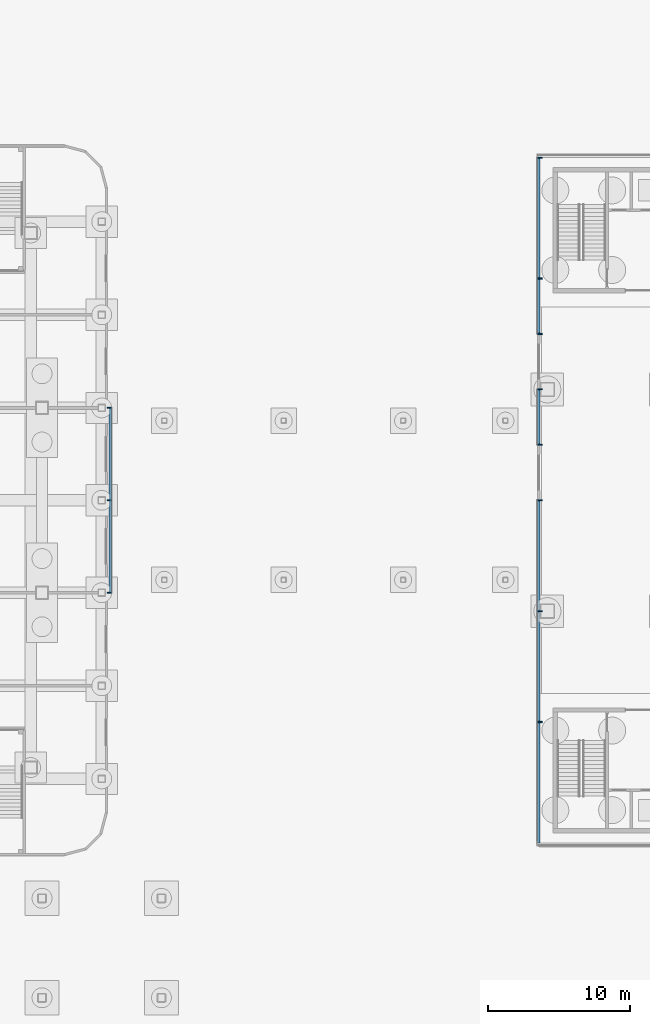
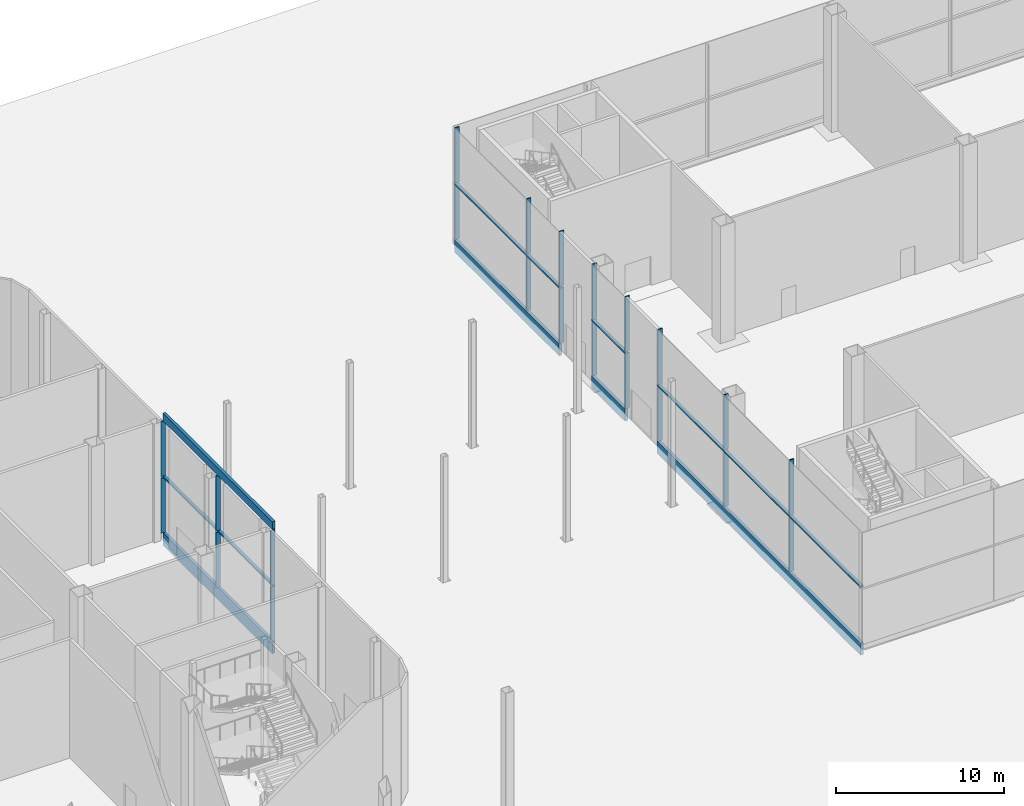
# One storey, part 25 of 113: 31 members, 2 elements without a shape of their own.
"""IFC4 building model written with IfcOpenShell, lengths in metres."""

from ifc_helpers import new_model, si_unit, direction, frame, origin, origin_2d, place, context, subcontext, project, spatial, rectangle, extrude, material, layer, layer_set, material_profile, profile_set, type_object, element, aggregate, save


model = new_model("IFC4")

# Units and contexts
model_context = context("Model", 3, precision=1e-05, world=origin(), true_north=direction((0.0, 1.0)))
body_context = subcontext(model_context, "Body", "Model", "MODEL_VIEW")
ifc_project = project(units=[si_unit("LENGTHUNIT", "METRE"), si_unit("AREAUNIT", "SQUARE_METRE"), si_unit("VOLUMEUNIT", "CUBIC_METRE"), si_unit("PLANEANGLEUNIT", "RADIAN"), si_unit("MASSUNIT", "GRAM", prefix="KILO")], contexts=[model_context])

# Site, building, storey
site_placement = place(None, origin())
site = spatial("IfcSite", under=ifc_project, at=site_placement, CompositionType="ELEMENT")
building_placement = place(site_placement, origin())
building = spatial("IfcBuilding", under=site, at=building_placement, Name="Hakoniwa Tower and Hamabe Station Hall", CompositionType="ELEMENT")
storey_placement = place(building_placement, origin())
storey = spatial("IfcBuildingStorey", under=building, at=storey_placement, Name="L01", CompositionType="ELEMENT", Elevation=0.0)

# Curtain wall, members
ifc_material_1 = material(Name="Dark low-e laminated glass", Category="glass")
ifc_layer_1 = layer(ifc_material_1, 0.199951171875)
ifc_layer_set_1 = layer_set([ifc_layer_1], Name="CW-3 PODIUM LOBBY")
curtain_wall_type_1 = type_object("IfcCurtainWallType", Name="CW-3 PODIUM LOBBY", PredefinedType="NOTDEFINED", material=ifc_layer_set_1)
curtain_wall_1_placement = place(storey_placement, origin())
curtain_wall_1 = element("IfcCurtainWall", 1, at=curtain_wall_1_placement, inside=storey, type_object=curtain_wall_type_1, Name="Podium curtain wall L01 east 5", PredefinedType="NOTDEFINED")
ifc_material_2 = material(Name="Aluminium 6063-T5 black anodised", Category="aluminium")
ifc_material_profile_1 = material_profile(ifc_material_2, rectangle(XDim=0.199951171875, YDim=0.550048828125, at=origin_2d()), Name="CW HEAD BAND 550X200")
ifc_profile_set_1 = profile_set([ifc_material_profile_1], Name="Aluminium 6063-T5 black anodised")
member_type_1 = type_object("IfcMemberType", Name="CW HEAD BAND 550X200", PredefinedType="USERDEFINED", material=ifc_profile_set_1)
member_1_placement = place(storey_placement, frame((55.199951171875, -6.5, 8.72509765625), z_axis=(0.0, 1.0, 0.0), x_axis=(-1.0, 0.0, 0.0)))
member_1 = element("IfcMember", 2, at=member_1_placement, type_object=member_type_1, Name="CW-3 transom", ObjectType="TRANSOM", PredefinedType="USERDEFINED", context=body_context, shape_type="SweptSolid", body=[
    extrude(rectangle(XDim=0.199951171875, YDim=0.550048828125, at=origin_2d()), origin(), (0.0, 0.0, 1.0), 13.0),
])
ifc_material_3 = material(Name="Aluminium 6063-T5 black anodised", Category="aluminium")
ifc_material_profile_2 = material_profile(ifc_material_3, rectangle(XDim=0.199951171875, YDim=0.1201171875, at=origin_2d()), Name="CW MID TRANSOM 120X200")
ifc_profile_set_2 = profile_set([ifc_material_profile_2], Name="Aluminium 6063-T5 black anodised")
member_type_2 = type_object("IfcMemberType", Name="CW MID TRANSOM 120X200", PredefinedType="USERDEFINED", material=ifc_profile_set_2)
member_2_placement = place(storey_placement, frame((55.199951171875, -6.5, 4.39990234375), z_axis=(0.0, 1.0, 0.0), x_axis=(-1.0, 0.0, 0.0)))
member_2 = element("IfcMember", 3, at=member_2_placement, type_object=member_type_2, Name="CW-3 transom", ObjectType="TRANSOM", PredefinedType="USERDEFINED", context=body_context, shape_type="SweptSolid", body=[
    extrude(rectangle(XDim=0.199951171875, YDim=0.1201171875, at=origin_2d()), origin(), (0.0, 0.0, 1.0), 13.0),
])

ifc_material_4 = material(Name="Dark low-e laminated glass", Category="glass")
ifc_layer_2 = layer(ifc_material_4, 0.199951171875)
ifc_layer_set_2 = layer_set([ifc_layer_2], Name="CW-7 STATION")
curtain_wall_type_2 = type_object("IfcCurtainWallType", Name="CW-7 STATION", PredefinedType="NOTDEFINED", material=ifc_layer_set_2)
curtain_wall_2_placement = place(storey_placement, origin())
curtain_wall_2 = element("IfcCurtainWall", 4, at=curtain_wall_2_placement, inside=storey, type_object=curtain_wall_type_2, Name="Station curtain wall L01 west", PredefinedType="NOTDEFINED")
member_3_placement = place(storey_placement, frame((85.35009765625, 24.10009765625, 4.39990234375), z_axis=(0.0, -1.0, 0.0), x_axis=(1.0, 0.0, 0.0)))
member_3 = element("IfcMember", 5, at=member_3_placement, type_object=member_type_2, Name="CW-7 transom", ObjectType="TRANSOM", PredefinedType="USERDEFINED", context=body_context, shape_type="SweptSolid", body=[
    extrude(rectangle(XDim=0.199951171875, YDim=0.1201171875, at=origin_2d()), origin(), (0.0, 0.0, 1.0), 12.43017578125),
])
member_4_placement = place(storey_placement, frame((85.35009765625, 7.830078125, 4.39990234375), z_axis=(0.0, -1.0, 0.0), x_axis=(1.0, 0.0, 0.0)))
member_4 = element("IfcMember", 6, at=member_4_placement, type_object=member_type_2, Name="CW-7 transom", ObjectType="TRANSOM", PredefinedType="USERDEFINED", context=body_context, shape_type="SweptSolid", body=[
    extrude(rectangle(XDim=0.199951171875, YDim=0.1201171875, at=origin_2d()), origin(), (0.0, 0.0, 1.0), 3.9599609375),
])
member_5_placement = place(storey_placement, frame((85.35009765625, 0.030029296875, 4.39990234375), z_axis=(0.0, -1.0, 0.0), x_axis=(1.0, 0.0, 0.0)))
member_5 = element("IfcMember", 7, at=member_5_placement, type_object=member_type_2, Name="CW-7 transom", ObjectType="TRANSOM", PredefinedType="USERDEFINED", context=body_context, shape_type="SweptSolid", body=[
    extrude(rectangle(XDim=0.199951171875, YDim=0.1201171875, at=origin_2d()), origin(), (0.0, 0.0, 1.0), 24.130126953125),
])

# Member
ifc_material_5 = material(Name="Aluminium 6063-T5 black anodised", Category="aluminium")
ifc_material_profile_3 = material_profile(ifc_material_5, rectangle(XDim=0.199951171875, YDim=0.89990234375, at=origin_2d()), Name="CW SLAB-EDGE BAND 900X200")
ifc_profile_set_3 = profile_set([ifc_material_profile_3], Name="Aluminium 6063-T5 black anodised")
member_type_3 = type_object("IfcMemberType", Name="CW SLAB-EDGE BAND 900X200", PredefinedType="USERDEFINED", material=ifc_profile_set_3)
member_6_placement = place(storey_placement, frame((55.199951171875, -6.5, -0.10009765625), z_axis=(0.0, 1.0, 0.0), x_axis=(-1.0, 0.0, 0.0)))
member_6 = element("IfcMember", 8, at=member_6_placement, type_object=member_type_3, Name="CW-3 transom", ObjectType="TRANSOM", PredefinedType="USERDEFINED", context=body_context, shape_type="SweptSolid", body=[
    extrude(rectangle(XDim=0.199951171875, YDim=0.89990234375, at=origin_2d()), origin(), (0.0, 0.0, 1.0), 13.0),
])

member_7_placement = place(storey_placement, frame((85.35009765625, 24.10009765625, -0.10009765625), z_axis=(0.0, -1.0, 0.0), x_axis=(1.0, 0.0, 0.0)))
member_7 = element("IfcMember", 9, at=member_7_placement, type_object=member_type_3, Name="CW-7 transom", ObjectType="TRANSOM", PredefinedType="USERDEFINED", context=body_context, shape_type="SweptSolid", body=[
    extrude(rectangle(XDim=0.199951171875, YDim=0.89990234375, at=origin_2d()), origin(), (0.0, 0.0, 1.0), 12.43017578125),
])

member_8_placement = place(storey_placement, frame((85.35009765625, 7.830078125, -0.10009765625), z_axis=(0.0, -1.0, 0.0), x_axis=(1.0, 0.0, 0.0)))
member_8 = element("IfcMember", 10, at=member_8_placement, type_object=member_type_3, Name="CW-7 transom", ObjectType="TRANSOM", PredefinedType="USERDEFINED", context=body_context, shape_type="SweptSolid", body=[
    extrude(rectangle(XDim=0.199951171875, YDim=0.89990234375, at=origin_2d()), origin(), (0.0, 0.0, 1.0), 3.9599609375),
])

member_9_placement = place(storey_placement, frame((85.35009765625, 0.030029296875, -0.10009765625), z_axis=(0.0, -1.0, 0.0), x_axis=(1.0, 0.0, 0.0)))
member_9 = element("IfcMember", 11, at=member_9_placement, type_object=member_type_3, Name="CW-7 transom", ObjectType="TRANSOM", PredefinedType="USERDEFINED", context=body_context, shape_type="SweptSolid", body=[
    extrude(rectangle(XDim=0.199951171875, YDim=0.89990234375, at=origin_2d()), origin(), (0.0, 0.0, 1.0), 24.130126953125),
])

ifc_material_6 = material(Name="Aluminium 6063-T5 black anodised", Category="aluminium")
ifc_material_profile_4 = material_profile(ifc_material_6, rectangle(XDim=0.080078125, YDim=0.300048828125, at=origin_2d()), Name="CW-3 MULLION 80X300")
ifc_profile_set_4 = profile_set([ifc_material_profile_4], Name="Aluminium 6063-T5 black anodised")
member_type_4 = type_object("IfcMemberType", Name="CW-3 MULLION 80X300", PredefinedType="MULLION", material=ifc_profile_set_4)
member_10_placement = place(storey_placement, frame((55.1220703125, -6.5, 0.35009765625), z_axis=(0.0, 0.0, 1.0), x_axis=(0.0, 1.0, 0.0)))
member_10 = element("IfcMember", 12, at=member_10_placement, type_object=member_type_4, Name="CW-3 mullion", PredefinedType="MULLION", context=body_context, shape_type="SweptSolid", body=[
    extrude(rectangle(XDim=0.080078125, YDim=0.300048828125, at=origin_2d()), origin(), (0.0, 0.0, 1.0), 3.989990234375),
])

member_11_placement = place(storey_placement, frame((55.1220703125, -6.5, 4.4599609375), z_axis=(0.0, 0.0, 1.0), x_axis=(0.0, 1.0, 0.0)))
member_11 = element("IfcMember", 13, at=member_11_placement, type_object=member_type_4, Name="CW-3 mullion", PredefinedType="MULLION", context=body_context, shape_type="SweptSolid", body=[
    extrude(rectangle(XDim=0.080078125, YDim=0.300048828125, at=origin_2d()), origin(), (0.0, 0.0, 1.0), 3.989990234375),
])

member_12_placement = place(storey_placement, frame((55.1220703125, 0.0, 0.35009765625), z_axis=(0.0, 0.0, 1.0), x_axis=(0.0, 1.0, 0.0)))
member_12 = element("IfcMember", 14, at=member_12_placement, type_object=member_type_4, Name="CW-3 mullion", PredefinedType="MULLION", context=body_context, shape_type="SweptSolid", body=[
    extrude(rectangle(XDim=0.080078125, YDim=0.300048828125, at=origin_2d()), origin(), (0.0, 0.0, 1.0), 3.989990234375),
])

member_13_placement = place(storey_placement, frame((55.1220703125, 0.0, 4.4599609375), z_axis=(0.0, 0.0, 1.0), x_axis=(0.0, 1.0, 0.0)))
member_13 = element("IfcMember", 15, at=member_13_placement, type_object=member_type_4, Name="CW-3 mullion", PredefinedType="MULLION", context=body_context, shape_type="SweptSolid", body=[
    extrude(rectangle(XDim=0.080078125, YDim=0.300048828125, at=origin_2d()), origin(), (0.0, 0.0, 1.0), 3.989990234375),
])

member_14_placement = place(storey_placement, frame((55.1220703125, 6.5, 0.35009765625), z_axis=(0.0, 0.0, 1.0), x_axis=(0.0, 1.0, 0.0)))
member_14 = element("IfcMember", 16, at=member_14_placement, type_object=member_type_4, Name="CW-3 mullion", PredefinedType="MULLION", context=body_context, shape_type="SweptSolid", body=[
    extrude(rectangle(XDim=0.080078125, YDim=0.300048828125, at=origin_2d()), origin(), (0.0, 0.0, 1.0), 3.989990234375),
])

member_15_placement = place(storey_placement, frame((55.1220703125, 6.5, 4.4599609375), z_axis=(0.0, 0.0, 1.0), x_axis=(0.0, 1.0, 0.0)))
member_15 = element("IfcMember", 17, at=member_15_placement, type_object=member_type_4, Name="CW-3 mullion", PredefinedType="MULLION", context=body_context, shape_type="SweptSolid", body=[
    extrude(rectangle(XDim=0.080078125, YDim=0.300048828125, at=origin_2d()), origin(), (0.0, 0.0, 1.0), 3.989990234375),
])

aggregate(curtain_wall_1, [member_10, member_11, member_12, member_13, member_14, member_15, member_6, member_2, member_1])

member_16_placement = place(storey_placement, frame((85.427978515625, 24.10009765625, 0.35009765625), z_axis=(0.0, 0.0, 1.0), x_axis=(0.0, -1.0, 0.0)))
member_16 = element("IfcMember", 18, at=member_16_placement, type_object=member_type_4, Name="CW-7 mullion", PredefinedType="MULLION", context=body_context, shape_type="SweptSolid", body=[
    extrude(rectangle(XDim=0.080078125, YDim=0.300048828125, at=origin_2d()), origin(), (0.0, 0.0, 1.0), 3.989990234375),
])

member_17_placement = place(storey_placement, frame((85.427978515625, 24.10009765625, 4.4599609375), z_axis=(0.0, 0.0, 1.0), x_axis=(0.0, -1.0, 0.0)))
member_17 = element("IfcMember", 19, at=member_17_placement, type_object=member_type_4, Name="CW-7 mullion", PredefinedType="MULLION", context=body_context, shape_type="SweptSolid", body=[
    extrude(rectangle(XDim=0.080078125, YDim=0.300048828125, at=origin_2d()), origin(), (0.0, 0.0, 1.0), 3.989990234375),
])

member_18_placement = place(storey_placement, frame((85.427978515625, 15.60009765625, 0.35009765625), z_axis=(0.0, 0.0, 1.0), x_axis=(0.0, -1.0, 0.0)))
member_18 = element("IfcMember", 20, at=member_18_placement, type_object=member_type_4, Name="CW-7 mullion", PredefinedType="MULLION", context=body_context, shape_type="SweptSolid", body=[
    extrude(rectangle(XDim=0.080078125, YDim=0.300048828125, at=origin_2d()), origin(), (0.0, 0.0, 1.0), 3.989990234375),
])

member_19_placement = place(storey_placement, frame((85.427978515625, 15.60009765625, 4.4599609375), z_axis=(0.0, 0.0, 1.0), x_axis=(0.0, -1.0, 0.0)))
member_19 = element("IfcMember", 21, at=member_19_placement, type_object=member_type_4, Name="CW-7 mullion", PredefinedType="MULLION", context=body_context, shape_type="SweptSolid", body=[
    extrude(rectangle(XDim=0.080078125, YDim=0.300048828125, at=origin_2d()), origin(), (0.0, 0.0, 1.0), 3.989990234375),
])

member_20_placement = place(storey_placement, frame((85.427978515625, 11.699951171875, 0.35009765625), z_axis=(0.0, 0.0, 1.0), x_axis=(0.0, -1.0, 0.0)))
member_20 = element("IfcMember", 22, at=member_20_placement, type_object=member_type_4, Name="CW-7 mullion", PredefinedType="MULLION", context=body_context, shape_type="SweptSolid", body=[
    extrude(rectangle(XDim=0.080078125, YDim=0.300048828125, at=origin_2d()), origin(), (0.0, 0.0, 1.0), 3.989990234375),
])

member_21_placement = place(storey_placement, frame((85.427978515625, 11.699951171875, 4.4599609375), z_axis=(0.0, 0.0, 1.0), x_axis=(0.0, -1.0, 0.0)))
member_21 = element("IfcMember", 23, at=member_21_placement, type_object=member_type_4, Name="CW-7 mullion", PredefinedType="MULLION", context=body_context, shape_type="SweptSolid", body=[
    extrude(rectangle(XDim=0.080078125, YDim=0.300048828125, at=origin_2d()), origin(), (0.0, 0.0, 1.0), 3.989990234375),
])

member_22_placement = place(storey_placement, frame((85.427978515625, 7.800048828125, 0.35009765625), z_axis=(0.0, 0.0, 1.0), x_axis=(0.0, -1.0, 0.0)))
member_22 = element("IfcMember", 24, at=member_22_placement, type_object=member_type_4, Name="CW-7 mullion", PredefinedType="MULLION", context=body_context, shape_type="SweptSolid", body=[
    extrude(rectangle(XDim=0.080078125, YDim=0.300048828125, at=origin_2d()), origin(), (0.0, 0.0, 1.0), 3.989990234375),
])

member_23_placement = place(storey_placement, frame((85.427978515625, 7.800048828125, 4.4599609375), z_axis=(0.0, 0.0, 1.0), x_axis=(0.0, -1.0, 0.0)))
member_23 = element("IfcMember", 25, at=member_23_placement, type_object=member_type_4, Name="CW-7 mullion", PredefinedType="MULLION", context=body_context, shape_type="SweptSolid", body=[
    extrude(rectangle(XDim=0.080078125, YDim=0.300048828125, at=origin_2d()), origin(), (0.0, 0.0, 1.0), 3.989990234375),
])

member_24_placement = place(storey_placement, frame((85.427978515625, 3.89990234375, 0.35009765625), z_axis=(0.0, 0.0, 1.0), x_axis=(0.0, -1.0, 0.0)))
member_24 = element("IfcMember", 26, at=member_24_placement, type_object=member_type_4, Name="CW-7 mullion", PredefinedType="MULLION", context=body_context, shape_type="SweptSolid", body=[
    extrude(rectangle(XDim=0.080078125, YDim=0.300048828125, at=origin_2d()), origin(), (0.0, 0.0, 1.0), 3.989990234375),
])

member_25_placement = place(storey_placement, frame((85.427978515625, 3.89990234375, 4.4599609375), z_axis=(0.0, 0.0, 1.0), x_axis=(0.0, -1.0, 0.0)))
member_25 = element("IfcMember", 27, at=member_25_placement, type_object=member_type_4, Name="CW-7 mullion", PredefinedType="MULLION", context=body_context, shape_type="SweptSolid", body=[
    extrude(rectangle(XDim=0.080078125, YDim=0.300048828125, at=origin_2d()), origin(), (0.0, 0.0, 1.0), 3.989990234375),
])

member_26_placement = place(storey_placement, frame((85.427978515625, 0.0, 0.35009765625), z_axis=(0.0, 0.0, 1.0), x_axis=(0.0, -1.0, 0.0)))
member_26 = element("IfcMember", 28, at=member_26_placement, type_object=member_type_4, Name="CW-7 mullion", PredefinedType="MULLION", context=body_context, shape_type="SweptSolid", body=[
    extrude(rectangle(XDim=0.080078125, YDim=0.300048828125, at=origin_2d()), origin(), (0.0, 0.0, 1.0), 3.989990234375),
])

member_27_placement = place(storey_placement, frame((85.427978515625, 0.0, 4.4599609375), z_axis=(0.0, 0.0, 1.0), x_axis=(0.0, -1.0, 0.0)))
member_27 = element("IfcMember", 29, at=member_27_placement, type_object=member_type_4, Name="CW-7 mullion", PredefinedType="MULLION", context=body_context, shape_type="SweptSolid", body=[
    extrude(rectangle(XDim=0.080078125, YDim=0.300048828125, at=origin_2d()), origin(), (0.0, 0.0, 1.0), 3.989990234375),
])

member_28_placement = place(storey_placement, frame((85.427978515625, -7.800048828125, 0.35009765625), z_axis=(0.0, 0.0, 1.0), x_axis=(0.0, -1.0, 0.0)))
member_28 = element("IfcMember", 30, at=member_28_placement, type_object=member_type_4, Name="CW-7 mullion", PredefinedType="MULLION", context=body_context, shape_type="SweptSolid", body=[
    extrude(rectangle(XDim=0.080078125, YDim=0.300048828125, at=origin_2d()), origin(), (0.0, 0.0, 1.0), 3.989990234375),
])

member_29_placement = place(storey_placement, frame((85.427978515625, -7.800048828125, 4.4599609375), z_axis=(0.0, 0.0, 1.0), x_axis=(0.0, -1.0, 0.0)))
member_29 = element("IfcMember", 31, at=member_29_placement, type_object=member_type_4, Name="CW-7 mullion", PredefinedType="MULLION", context=body_context, shape_type="SweptSolid", body=[
    extrude(rectangle(XDim=0.080078125, YDim=0.300048828125, at=origin_2d()), origin(), (0.0, 0.0, 1.0), 3.989990234375),
])

member_30_placement = place(storey_placement, frame((85.427978515625, -15.60009765625, 0.35009765625), z_axis=(0.0, 0.0, 1.0), x_axis=(0.0, -1.0, 0.0)))
member_30 = element("IfcMember", 32, at=member_30_placement, type_object=member_type_4, Name="CW-7 mullion", PredefinedType="MULLION", context=body_context, shape_type="SweptSolid", body=[
    extrude(rectangle(XDim=0.080078125, YDim=0.300048828125, at=origin_2d()), origin(), (0.0, 0.0, 1.0), 3.989990234375),
])

member_31_placement = place(storey_placement, frame((85.427978515625, -15.60009765625, 4.4599609375), z_axis=(0.0, 0.0, 1.0), x_axis=(0.0, -1.0, 0.0)))
member_31 = element("IfcMember", 33, at=member_31_placement, type_object=member_type_4, Name="CW-7 mullion", PredefinedType="MULLION", context=body_context, shape_type="SweptSolid", body=[
    extrude(rectangle(XDim=0.080078125, YDim=0.300048828125, at=origin_2d()), origin(), (0.0, 0.0, 1.0), 3.989990234375),
])

aggregate(curtain_wall_2, [member_16, member_17, member_18, member_19, member_20, member_21, member_22, member_23, member_24, member_25, member_26, member_27, member_28, member_29, member_30, member_31, member_7, member_3, member_8, member_4, member_9, member_5])

save(model, "model.ifc")
